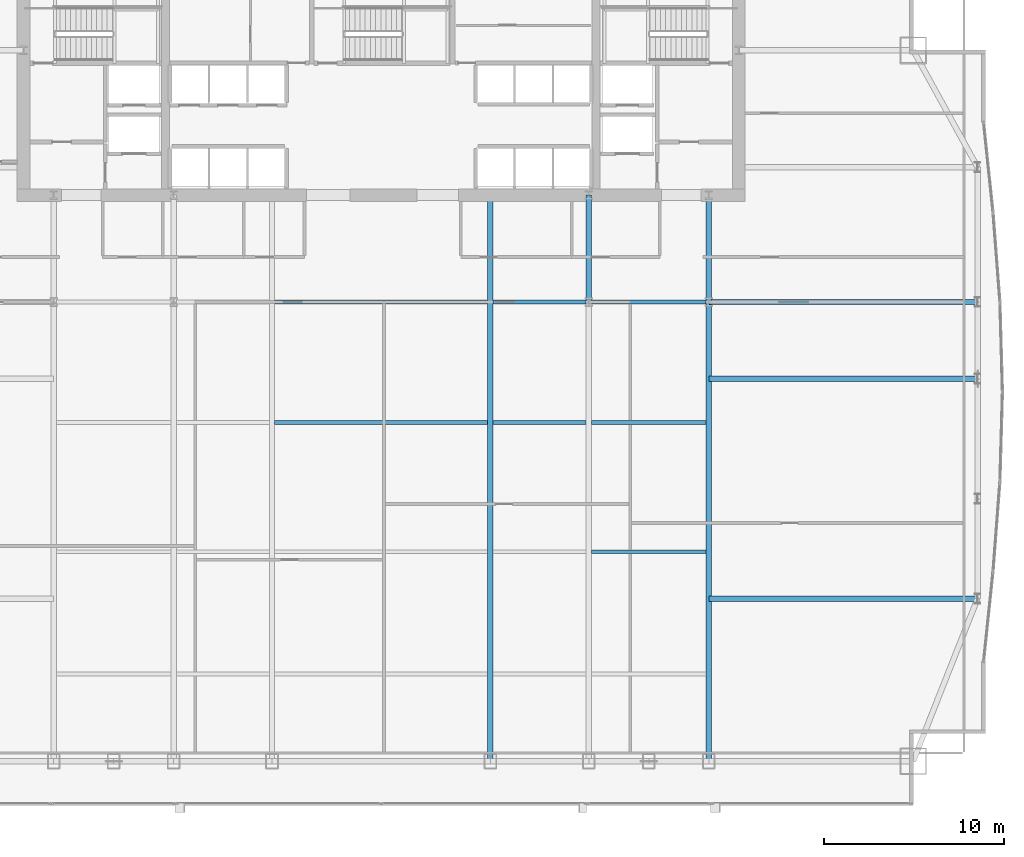
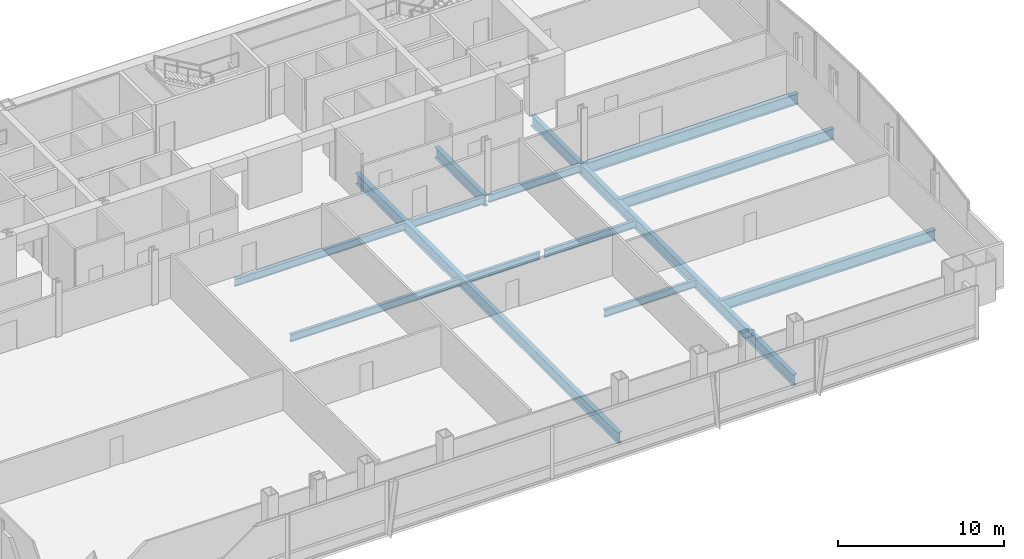
# One storey, part 16 of 30: 14 beams.
"""IFC4 building model written with IfcOpenShell, lengths in metres."""

from ifc_helpers import new_model, si_unit, direction, frame, origin, origin_2d, place, context, subcontext, project, spatial, i_section, extrude, material, material_profile, profile_set, type_object, element, save


model = new_model("IFC4")

# Units and contexts
model_context = context("Model", 3, precision=1e-05, world=origin(), true_north=direction((0.0, 1.0)))
body_context = subcontext(model_context, "Body", "Model", "MODEL_VIEW")
ifc_project = project(units=[si_unit("LENGTHUNIT", "METRE"), si_unit("AREAUNIT", "SQUARE_METRE"), si_unit("VOLUMEUNIT", "CUBIC_METRE"), si_unit("PLANEANGLEUNIT", "RADIAN"), si_unit("MASSUNIT", "GRAM", prefix="KILO")], contexts=[model_context])

# Site, building, storey
site_placement = place(None, origin())
site = spatial("IfcSite", under=ifc_project, at=site_placement, CompositionType="ELEMENT")
building_placement = place(site_placement, origin())
building = spatial("IfcBuilding", under=site, at=building_placement, Name="Khoronbel Lancet Exchange", CompositionType="ELEMENT")
storey_placement = place(building_placement, frame((0.0, 0.0, 90.60009765625)))
storey = spatial("IfcBuildingStorey", under=building, at=storey_placement, Name="L21", CompositionType="ELEMENT", Elevation=90.60009765625)

# Beams
ifc_material = material(Name="Steel S355", Category="steel")
ifc_material_profile_1 = material_profile(ifc_material, i_section(OverallWidth=0.300048828125, OverallDepth=0.800048828125, WebThickness=0.017578125, FlangeThickness=0.032958984375, at=origin_2d()), Name="HEB 800")
ifc_profile_set_1 = profile_set([ifc_material_profile_1], Name="Steel S355")
beam_type_1 = type_object("IfcBeamType", Name="BM-BG2", PredefinedType="BEAM", material=ifc_profile_set_1)
beam_1_placement = place(storey_placement, frame((42.52490234375, 10.14990234375, -0.580078125), z_axis=(0.0, 1.0, 0.0), x_axis=(-1.0, 0.0, 0.0)))
element("IfcBeam", 1, at=beam_1_placement, inside=storey, type_object=beam_type_1, Name="Level L21 primary floor girder G4", PredefinedType="BEAM", context=body_context, shape_type="SweptSolid", body=[
    extrude(i_section(OverallWidth=0.300048828125, OverallDepth=0.800048828125, WebThickness=0.017578125, FlangeThickness=0.032958984375, at=origin_2d()), origin(), (0.0, 0.0, 1.0), 31.5),
])
beam_2_placement = place(storey_placement, frame((48.0, 35.699951171875, -0.580078125), z_axis=(0.0, 1.0, 0.0), x_axis=(-1.0, 0.0, 0.0)))
element("IfcBeam", 2, at=beam_2_placement, inside=storey, type_object=beam_type_1, Name="Level L21 spine tie girder GN5", PredefinedType="BEAM", context=body_context, shape_type="SweptSolid", body=[
    extrude(i_section(OverallWidth=0.300048828125, OverallDepth=0.800048828125, WebThickness=0.017578125, FlangeThickness=0.032958984375, at=origin_2d()), origin(), (0.0, 0.0, 1.0), 5.949951171875),
])
beam_3_placement = place(storey_placement, frame((54.675048828125, 10.14990234375, -0.580078125), z_axis=(0.0, 1.0, 0.0), x_axis=(-1.0, 0.0, 0.0)))
element("IfcBeam", 3, at=beam_3_placement, inside=storey, type_object=beam_type_1, Name="Level L21 south primary girder GS6", PredefinedType="BEAM", context=body_context, shape_type="SweptSolid", body=[
    extrude(i_section(OverallWidth=0.300048828125, OverallDepth=0.800048828125, WebThickness=0.017578125, FlangeThickness=0.032958984375, at=origin_2d()), origin(), (0.0, 0.0, 1.0), 25.550048828125),
])
beam_4_placement = place(storey_placement, frame((54.675048828125, 35.699951171875, -0.580078125), z_axis=(0.0, 1.0, 0.0), x_axis=(-1.0, 0.0, 0.0)))
element("IfcBeam", 4, at=beam_4_placement, inside=storey, type_object=beam_type_1, Name="Level L21 spine tie girder GN6", PredefinedType="BEAM", context=body_context, shape_type="SweptSolid", body=[
    extrude(i_section(OverallWidth=0.300048828125, OverallDepth=0.800048828125, WebThickness=0.017578125, FlangeThickness=0.032958984375, at=origin_2d()), origin(), (0.0, 0.0, 1.0), 5.949951171875),
])
for number, where, z_axis, x_axis, name in (
    (5, (54.675048828125, 19.199951171875, -0.580078125), (1.0, 0.0, 0.0), (0.0, 1.0, 0.0), "Level L21 east lens tie girder LG1E"),
    (6, (54.675048828125, 31.425048828125, -0.580078125), (1.0, 0.0, 0.0), (0.0, 1.0, 0.0), "Level L21 east lens tie girder LG2E"),
    (7, (54.675048828125, 35.699951171875, -0.580078125), (1.0, 0.0, 0.0), (0.0, 1.0, 0.0), "Level L21 east lens tie girder LG4E"),
):
    element("IfcBeam", number, at=place(storey_placement, frame(where, z_axis=z_axis, x_axis=x_axis)), inside=storey, type_object=beam_type_1, Name=name, PredefinedType="BEAM", context=body_context, shape_type="SweptSolid", body=[
        extrude(i_section(OverallWidth=0.300048828125, OverallDepth=0.800048828125, WebThickness=0.017578125, FlangeThickness=0.032958984375, at=origin_2d()), origin(), (0.0, 0.0, 1.0), 14.954833984375),
    ])
ifc_material_profile_2 = material_profile(ifc_material, i_section(OverallWidth=0.2099609375, OverallDepth=0.550048828125, WebThickness=0.010986328125, FlangeThickness=0.01708984375, at=origin_2d()), Name="IPE 550")
ifc_profile_set_2 = profile_set([ifc_material_profile_2], Name="Steel S355")
beam_type_2 = type_object("IfcBeamType", Name="BM-BJ2", PredefinedType="JOIST", material=ifc_profile_set_2)
beam_5_placement = place(storey_placement, frame((48.14990234375, 21.800048828125, -0.455078125), z_axis=(1.0, 0.0, 0.0), x_axis=(0.0, 1.0, 0.0)))
element("IfcBeam", 8, at=beam_5_placement, inside=storey, type_object=beam_type_2, Name="Level L21 secondary composite joist J10", PredefinedType="JOIST", context=body_context, shape_type="SweptSolid", body=[
    extrude(i_section(OverallWidth=0.2099609375, OverallDepth=0.550048828125, WebThickness=0.010986328125, FlangeThickness=0.01708984375, at=origin_2d()), origin(), (0.0, 0.0, 1.0), 6.375),
])
beam_6_placement = place(storey_placement, frame((30.52490234375, 29.0, -0.455078125), z_axis=(1.0, 0.0, 0.0), x_axis=(0.0, 1.0, 0.0)))
element("IfcBeam", 9, at=beam_6_placement, inside=storey, type_object=beam_type_2, Name="Level L21 secondary composite joist J13", PredefinedType="JOIST", context=body_context, shape_type="SweptSolid", body=[
    extrude(i_section(OverallWidth=0.2099609375, OverallDepth=0.550048828125, WebThickness=0.010986328125, FlangeThickness=0.01708984375, at=origin_2d()), origin(), (0.0, 0.0, 1.0), 11.85009765625),
])
beam_7_placement = place(storey_placement, frame((42.675048828125, 29.0, -0.455078125), z_axis=(1.0, 0.0, 0.0), x_axis=(0.0, 1.0, 0.0)))
element("IfcBeam", 10, at=beam_7_placement, inside=storey, type_object=beam_type_2, Name="Level L21 secondary composite joist J14", PredefinedType="JOIST", context=body_context, shape_type="SweptSolid", body=[
    extrude(i_section(OverallWidth=0.2099609375, OverallDepth=0.550048828125, WebThickness=0.010986328125, FlangeThickness=0.01708984375, at=origin_2d()), origin(), (0.0, 0.0, 1.0), 5.175048828125),
])
beam_8_placement = place(storey_placement, frame((48.14990234375, 29.0, -0.455078125), z_axis=(1.0, 0.0, 0.0), x_axis=(0.0, 1.0, 0.0)))
element("IfcBeam", 11, at=beam_8_placement, inside=storey, type_object=beam_type_2, Name="Level L21 secondary composite joist J15", PredefinedType="JOIST", context=body_context, shape_type="SweptSolid", body=[
    extrude(i_section(OverallWidth=0.2099609375, OverallDepth=0.550048828125, WebThickness=0.010986328125, FlangeThickness=0.01708984375, at=origin_2d()), origin(), (0.0, 0.0, 1.0), 6.375),
])
beam_9_placement = place(storey_placement, frame((30.52490234375, 35.699951171875, -0.455078125), z_axis=(1.0, 0.0, 0.0), x_axis=(0.0, 1.0, 0.0)))
element("IfcBeam", 12, at=beam_9_placement, inside=storey, type_object=beam_type_2, Name="Level L21 secondary composite joist J18", PredefinedType="JOIST", context=body_context, shape_type="SweptSolid", body=[
    extrude(i_section(OverallWidth=0.2099609375, OverallDepth=0.550048828125, WebThickness=0.010986328125, FlangeThickness=0.01708984375, at=origin_2d()), origin(), (0.0, 0.0, 1.0), 11.85009765625),
])
beam_10_placement = place(storey_placement, frame((42.675048828125, 35.699951171875, -0.455078125), z_axis=(1.0, 0.0, 0.0), x_axis=(0.0, 1.0, 0.0)))
element("IfcBeam", 13, at=beam_10_placement, inside=storey, type_object=beam_type_2, Name="Level L21 secondary composite joist J19", PredefinedType="JOIST", context=body_context, shape_type="SweptSolid", body=[
    extrude(i_section(OverallWidth=0.2099609375, OverallDepth=0.550048828125, WebThickness=0.010986328125, FlangeThickness=0.01708984375, at=origin_2d()), origin(), (0.0, 0.0, 1.0), 5.175048828125),
])
beam_11_placement = place(storey_placement, frame((48.14990234375, 35.699951171875, -0.455078125), z_axis=(1.0, 0.0, 0.0), x_axis=(0.0, 1.0, 0.0)))
element("IfcBeam", 14, at=beam_11_placement, inside=storey, type_object=beam_type_2, Name="Level L21 secondary composite joist J20", PredefinedType="JOIST", context=body_context, shape_type="SweptSolid", body=[
    extrude(i_section(OverallWidth=0.2099609375, OverallDepth=0.550048828125, WebThickness=0.010986328125, FlangeThickness=0.01708984375, at=origin_2d()), origin(), (0.0, 0.0, 1.0), 6.375),
])

save(model, "model.ifc")
